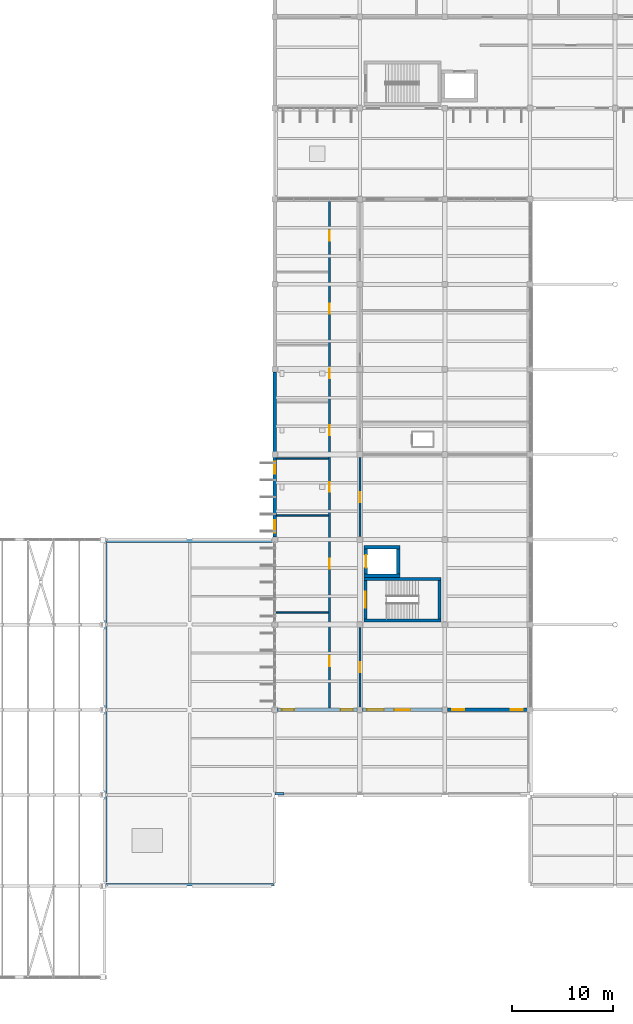
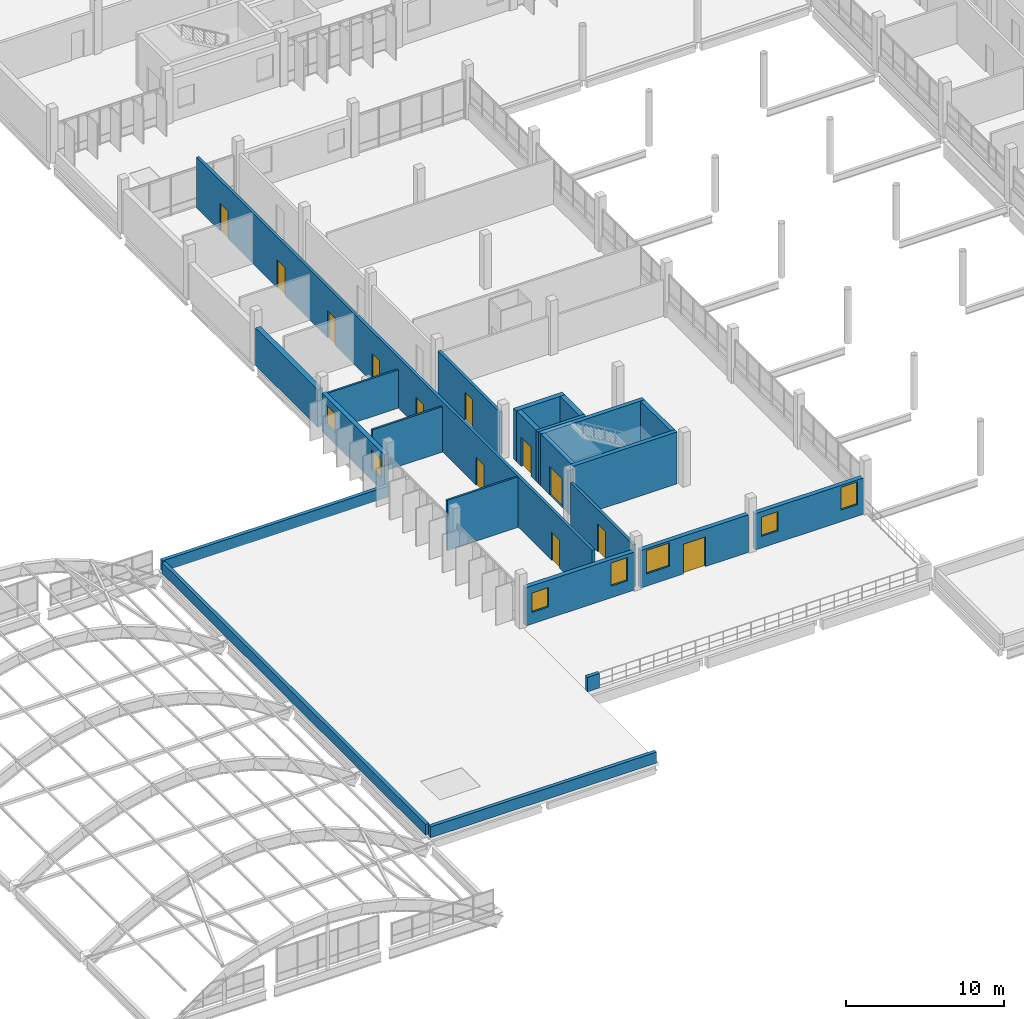
# One storey, part 111 of 130: 23 walls, 12 doors, 7 windows, 19 openings.
"""IFC4 building model written with IfcOpenShell, lengths in metres."""

from ifc_helpers import new_model, si_unit, direction, frame, frame_2d, origin, place, context, subcontext, project, spatial, rectangle, extrude, material, layer, layer_set, type_object, element, fill, save


model = new_model("IFC4")

# Units and contexts
model_context = context("Model", 3, precision=1e-05, world=origin(), true_north=direction((0.0, 1.0)))
body_context = subcontext(model_context, "Body", "Model", "MODEL_VIEW")
ifc_project = project(units=[si_unit("LENGTHUNIT", "METRE"), si_unit("AREAUNIT", "SQUARE_METRE"), si_unit("VOLUMEUNIT", "CUBIC_METRE"), si_unit("PLANEANGLEUNIT", "RADIAN"), si_unit("MASSUNIT", "GRAM", prefix="KILO")], contexts=[model_context])

# Site, building, storey
site_placement = place(None, origin())
site = spatial("IfcSite", under=ifc_project, at=site_placement, CompositionType="ELEMENT")
building_placement = place(site_placement, origin())
building = spatial("IfcBuilding", under=site, at=building_placement, Name="Vireocrest Preparatory School", CompositionType="ELEMENT")
storey_placement = place(building_placement, frame((0.0, 0.0, 9.0)))
storey = spatial("IfcBuildingStorey", under=building, at=storey_placement, Name="L02", CompositionType="ELEMENT", Elevation=9.0)

# Walls
ifc_material_1 = material(Name="Gypsum board on cold-formed steel studs", Category="steel")
ifc_layer_1 = layer(ifc_material_1, 0.139892578125)
ifc_layer_set_1 = layer_set([ifc_layer_1], Name="Gypsum board on cold-formed steel studs")
wall_type_1 = type_object("IfcWallType", Name="Classroom Acoustic Partition Wall 140", PredefinedType="PARTITIONING", material=ifc_layer_set_1)
wall_1_placement = place(storey_placement, frame((42.10498046875, 45.0, 0.0), z_axis=(0.0, 0.0, 1.0), x_axis=(1.0, 0.0, 0.0)))
element("IfcWall", 1, at=wall_1_placement, inside=storey, type_object=wall_type_1, Name="Interior Partition W03 IW_L02_0188", PredefinedType="PARTITIONING", context=body_context, shape_type="SweptSolid", body=[
    extrude(rectangle(XDim=5.18994140625, YDim=0.139892578125, at=frame_2d((2.594970703125, 0.0))), origin(), (0.0, 0.0, 1.0), 3.89990234375),
])
wall_2_placement = place(storey_placement, frame((42.1650390625, 54.60009765625, 0.0), z_axis=(0.0, 0.0, 1.0), x_axis=(1.0, 0.0, 0.0)))
element("IfcWall", 2, at=wall_2_placement, inside=storey, type_object=wall_type_1, Name="Interior Partition W03 IW_L02_0189", PredefinedType="PARTITIONING", context=body_context, shape_type="SweptSolid", body=[
    extrude(rectangle(XDim=5.1298828125, YDim=0.139892578125, at=frame_2d((2.56494140625, 0.0))), origin(), (0.0, 0.0, 1.0), 3.510009765625),
])
wall_3_placement = place(storey_placement, frame((42.1650390625, 60.199951171875, 0.0), z_axis=(0.0, 0.0, 1.0), x_axis=(1.0, 0.0, 0.0)))
element("IfcWall", 3, at=wall_3_placement, inside=storey, type_object=wall_type_1, Name="Interior Partition W03 IW_L02_0190", PredefinedType="PARTITIONING", context=body_context, shape_type="SweptSolid", body=[
    extrude(rectangle(XDim=5.1298828125, YDim=0.139892578125, at=frame_2d((2.56494140625, 0.0))), origin(), (0.0, 0.0, 1.0), 2.9599609375),
])

# Wall, openings, doors
ifc_layer_2 = layer(ifc_material_1, 0.199951171875)
ifc_layer_set_2 = layer_set([ifc_layer_2], Name="Gypsum board on cold-formed steel studs")
wall_type_2 = type_object("IfcWallType", Name="Corridor One-Hour Fire Partition 200", PredefinedType="PARTITIONING", material=ifc_layer_set_2)
wall_4_placement = place(storey_placement, frame((47.39990234375, 35.56494140625, 0.0), z_axis=(0.0, 0.0, 1.0), x_axis=(0.0, 1.0, 0.0)))
wall_4 = element("IfcWall", 4, at=wall_4_placement, inside=storey, type_object=wall_type_2, Name="Interior Partition W06 IW_L02_0194", PredefinedType="PARTITIONING", context=body_context, shape_type="SweptSolid", body=[
    extrude(rectangle(XDim=50.130126953125, YDim=0.199951171875, at=frame_2d((25.06494140625, 0.0))), origin(), (0.0, 0.0, 1.0), 3.89990234375),
])
opening_1_placement = place(wall_4_placement, frame((4.135009765625, 0.0, 0.0)))
opening_1 = element("IfcOpeningElement", 5, at=opening_1_placement, cuts=wall_4, Name="Opening D-L02-W2W01", PredefinedType="OPENING", context=body_context, shape_type="SweptSolid", body=[
    extrude(rectangle(XDim=1.0, YDim=2.14990234375, at=frame_2d((0.5, 1.074951171875))), frame((0.0, 0.10986328125, 0.0), z_axis=(0.0, -1.0, 0.0), x_axis=(1.0, 0.0, 0.0)), (0.0, 0.0, 1.0), 0.219970703125),
])
opening_2_placement = place(wall_4_placement, frame((13.735107421875, 0.0, 0.0)))
opening_2 = element("IfcOpeningElement", 6, at=opening_2_placement, cuts=wall_4, Name="Opening D-L02-W2W02", PredefinedType="OPENING", context=body_context, shape_type="SweptSolid", body=[
    extrude(rectangle(XDim=1.0, YDim=2.14990234375, at=frame_2d((0.5, 1.074951171875))), frame((0.0, 0.10986328125, 0.0), z_axis=(0.0, -1.0, 0.0), x_axis=(1.0, 0.0, 0.0)), (0.0, 0.0, 1.0), 0.219970703125),
])
opening_3_placement = place(wall_4_placement, frame((21.360107421875, 0.0, 0.0)))
opening_3 = element("IfcOpeningElement", 7, at=opening_3_placement, cuts=wall_4, Name="Opening D-L02-W2W03", PredefinedType="OPENING", context=body_context, shape_type="SweptSolid", body=[
    extrude(rectangle(XDim=0.949951171875, YDim=2.199951171875, at=frame_2d((0.47509765625, 1.10009765625))), frame((0.0, 0.10986328125, 0.0), z_axis=(0.0, -1.0, 0.0), x_axis=(1.0, 0.0, 0.0)), (0.0, 0.0, 1.0), 0.219970703125),
])
opening_4_placement = place(wall_4_placement, frame((26.9599609375, 0.0, 0.0)))
opening_4 = element("IfcOpeningElement", 8, at=opening_4_placement, cuts=wall_4, Name="Opening D-L02-W2W04", PredefinedType="OPENING", context=body_context, shape_type="SweptSolid", body=[
    extrude(rectangle(XDim=0.949951171875, YDim=2.199951171875, at=frame_2d((0.47509765625, 1.10009765625))), frame((0.0, 0.10986328125, 0.0), z_axis=(0.0, -1.0, 0.0), x_axis=(1.0, 0.0, 0.0)), (0.0, 0.0, 1.0), 0.219970703125),
])
opening_5_placement = place(wall_4_placement, frame((32.56005859375, 0.0, 0.0)))
opening_5 = element("IfcOpeningElement", 9, at=opening_5_placement, cuts=wall_4, Name="Opening D-L02-W2W05", PredefinedType="OPENING", context=body_context, shape_type="SweptSolid", body=[
    extrude(rectangle(XDim=0.949951171875, YDim=2.10009765625, at=frame_2d((0.47509765625, 1.050048828125))), frame((0.0, 0.10986328125, 0.0), z_axis=(0.0, -1.0, 0.0), x_axis=(1.0, 0.0, 0.0)), (0.0, 0.0, 1.0), 0.219970703125),
])
opening_6_placement = place(wall_4_placement, frame((38.93505859375, 0.0, 0.0)))
opening_6 = element("IfcOpeningElement", 10, at=opening_6_placement, cuts=wall_4, Name="Opening D-L02-W2W06", PredefinedType="OPENING", context=body_context, shape_type="SweptSolid", body=[
    extrude(rectangle(XDim=1.0, YDim=2.14990234375, at=frame_2d((0.5, 1.074951171875))), frame((0.0, 0.10986328125, 0.0), z_axis=(0.0, -1.0, 0.0), x_axis=(1.0, 0.0, 0.0)), (0.0, 0.0, 1.0), 0.219970703125),
])
opening_7_placement = place(wall_4_placement, frame((46.135009765625, 0.0, 0.0)))
opening_7 = element("IfcOpeningElement", 11, at=opening_7_placement, cuts=wall_4, Name="Opening D-L02-W2W07", PredefinedType="OPENING", context=body_context, shape_type="SweptSolid", body=[
    extrude(rectangle(XDim=1.0, YDim=2.14990234375, at=frame_2d((0.5, 1.074951171875))), frame((0.0, 0.10986328125, 0.0), z_axis=(0.0, -1.0, 0.0), x_axis=(1.0, 0.0, 0.0)), (0.0, 0.0, 1.0), 0.219970703125),
])
ifc_material_2 = material(Name="Solid-core architectural birch timber", Category="wood")
door_type_1 = type_object("IfcDoorType", Name="Accessible WC Timber Door 950x2100", OperationType="NOTDEFINED", PredefinedType="DOOR", material=ifc_material_2)
door_1_placement = place(opening_5_placement, origin())
door_1 = element("IfcDoor", 12, at=door_1_placement, inside=storey, type_object=door_type_1, Name="Interior Door D-L02-W2W05", OperationType="SINGLE_SWING_RIGHT", OverallHeight=2.10009765625, OverallWidth=0.949951171875, PredefinedType="DOOR", context=body_context, shape_type="SweptSolid", body=[
    extrude(rectangle(XDim=0.949951171875, YDim=2.10009765625, at=frame_2d((0.47509765625, 1.050048828125))), frame((0.0, 0.02490234375, 0.0), z_axis=(0.0, -1.0, 0.0), x_axis=(1.0, 0.0, 0.0)), (0.0, 0.0, 1.0), 0.050048828125),
])
fill(opening_5, door_1)
door_type_2 = type_object("IfcDoorType", Name="Classroom Acoustic Timber Door 1000x2150", OperationType="NOTDEFINED", PredefinedType="DOOR", material=ifc_material_2)
door_2_placement = place(opening_1_placement, origin())
door_2 = element("IfcDoor", 13, at=door_2_placement, inside=storey, type_object=door_type_2, Name="Interior Door D-L02-W2W01", OperationType="SINGLE_SWING_RIGHT", OverallHeight=2.14990234375, OverallWidth=1.0, PredefinedType="DOOR", context=body_context, shape_type="SweptSolid", body=[
    extrude(rectangle(XDim=1.0, YDim=2.14990234375, at=frame_2d((0.5, 1.074951171875))), frame((0.0, 0.02490234375, 0.0), z_axis=(0.0, -1.0, 0.0), x_axis=(1.0, 0.0, 0.0)), (0.0, 0.0, 1.0), 0.050048828125),
])
fill(opening_1, door_2)
door_3_placement = place(opening_2_placement, origin())
door_3 = element("IfcDoor", 14, at=door_3_placement, inside=storey, type_object=door_type_2, Name="Interior Door D-L02-W2W02", OperationType="SINGLE_SWING_LEFT", OverallHeight=2.14990234375, OverallWidth=1.0, PredefinedType="DOOR", context=body_context, shape_type="SweptSolid", body=[
    extrude(rectangle(XDim=1.0, YDim=2.14990234375, at=frame_2d((0.5, 1.074951171875))), frame((0.0, 0.02490234375, 0.0), z_axis=(0.0, -1.0, 0.0), x_axis=(1.0, 0.0, 0.0)), (0.0, 0.0, 1.0), 0.050048828125),
])
fill(opening_2, door_3)
door_4_placement = place(opening_6_placement, origin())
door_4 = element("IfcDoor", 15, at=door_4_placement, inside=storey, type_object=door_type_2, Name="Interior Door D-L02-W2W06", OperationType="SINGLE_SWING_LEFT", OverallHeight=2.14990234375, OverallWidth=1.0, PredefinedType="DOOR", context=body_context, shape_type="SweptSolid", body=[
    extrude(rectangle(XDim=1.0, YDim=2.14990234375, at=frame_2d((0.5, 1.074951171875))), frame((0.0, 0.02490234375, 0.0), z_axis=(0.0, -1.0, 0.0), x_axis=(1.0, 0.0, 0.0)), (0.0, 0.0, 1.0), 0.050048828125),
])
fill(opening_6, door_4)
door_5_placement = place(opening_7_placement, origin())
door_5 = element("IfcDoor", 16, at=door_5_placement, inside=storey, type_object=door_type_2, Name="Interior Door D-L02-W2W07", OperationType="SINGLE_SWING_RIGHT", OverallHeight=2.14990234375, OverallWidth=1.0, PredefinedType="DOOR", context=body_context, shape_type="SweptSolid", body=[
    extrude(rectangle(XDim=1.0, YDim=2.14990234375, at=frame_2d((0.5, 1.074951171875))), frame((0.0, 0.02490234375, 0.0), z_axis=(0.0, -1.0, 0.0), x_axis=(1.0, 0.0, 0.0)), (0.0, 0.0, 1.0), 0.050048828125),
])
fill(opening_7, door_5)
door_type_3 = type_object("IfcDoorType", Name="Student Washroom Door 950x2200", OperationType="NOTDEFINED", PredefinedType="DOOR", material=ifc_material_2)
door_6_placement = place(opening_3_placement, origin())
door_6 = element("IfcDoor", 17, at=door_6_placement, inside=storey, type_object=door_type_3, Name="Interior Door D-L02-W2W03", OperationType="SINGLE_SWING_RIGHT", OverallHeight=2.199951171875, OverallWidth=0.949951171875, PredefinedType="DOOR", context=body_context, shape_type="SweptSolid", body=[
    extrude(rectangle(XDim=0.949951171875, YDim=2.199951171875, at=frame_2d((0.47509765625, 1.10009765625))), frame((0.0, 0.02490234375, 0.0), z_axis=(0.0, -1.0, 0.0), x_axis=(1.0, 0.0, 0.0)), (0.0, 0.0, 1.0), 0.050048828125),
])
fill(opening_3, door_6)
door_7_placement = place(opening_4_placement, origin())
door_7 = element("IfcDoor", 18, at=door_7_placement, inside=storey, type_object=door_type_3, Name="Interior Door D-L02-W2W04", OperationType="SINGLE_SWING_LEFT", OverallHeight=2.199951171875, OverallWidth=0.949951171875, PredefinedType="DOOR", context=body_context, shape_type="SweptSolid", body=[
    extrude(rectangle(XDim=0.949951171875, YDim=2.199951171875, at=frame_2d((0.47509765625, 1.10009765625))), frame((0.0, 0.02490234375, 0.0), z_axis=(0.0, -1.0, 0.0), x_axis=(1.0, 0.0, 0.0)), (0.0, 0.0, 1.0), 0.050048828125),
])
fill(opening_4, door_7)

# Wall, opening, door
wall_5_placement = place(storey_placement, frame((50.39990234375, 35.56494140625, 0.0), z_axis=(0.0, 0.0, 1.0), x_axis=(0.0, 1.0, 0.0)))
wall_5 = element("IfcWall", 19, at=wall_5_placement, inside=storey, type_object=wall_type_2, Name="Interior Partition W06 IW_L02_0195", PredefinedType="PARTITIONING", context=body_context, shape_type="SweptSolid", body=[
    extrude(rectangle(XDim=7.949951171875, YDim=0.199951171875, at=frame_2d((3.97509765625, 0.0))), origin(), (0.0, 0.0, 1.0), 3.260009765625),
])
opening_8_placement = place(wall_5_placement, frame((3.534912109375, 0.0, 0.0)))
opening_8 = element("IfcOpeningElement", 20, at=opening_8_placement, cuts=wall_5, Name="Opening D-L02-W2E01", PredefinedType="OPENING", context=body_context, shape_type="SweptSolid", body=[
    extrude(rectangle(XDim=1.0, YDim=2.14990234375, at=frame_2d((0.5, 1.074951171875))), frame((0.0, 0.10986328125, 0.0), z_axis=(0.0, -1.0, 0.0), x_axis=(1.0, 0.0, 0.0)), (0.0, 0.0, 1.0), 0.219970703125),
])
door_8_placement = place(opening_8_placement, origin())
door_8 = element("IfcDoor", 21, at=door_8_placement, inside=storey, type_object=door_type_2, Name="Interior Door D-L02-W2E01", OperationType="SINGLE_SWING_LEFT", OverallHeight=2.14990234375, OverallWidth=1.0, PredefinedType="DOOR", context=body_context, shape_type="SweptSolid", body=[
    extrude(rectangle(XDim=1.0, YDim=2.14990234375, at=frame_2d((0.5, 1.074951171875))), frame((0.0, 0.02490234375, 0.0), z_axis=(0.0, -1.0, 0.0), x_axis=(1.0, 0.0, 0.0)), (0.0, 0.0, 1.0), 0.050048828125),
])
fill(opening_8, door_8)

wall_6_placement = place(storey_placement, frame((50.39990234375, 52.485107421875, 0.0), z_axis=(0.0, 0.0, 1.0), x_axis=(0.0, 1.0, 0.0)))
wall_6 = element("IfcWall", 22, at=wall_6_placement, inside=storey, type_object=wall_type_2, Name="Interior Partition W06 IW_L02_0200", PredefinedType="PARTITIONING", context=body_context, shape_type="SweptSolid", body=[
    extrude(rectangle(XDim=7.829833984375, YDim=0.199951171875, at=frame_2d((3.9150390625, 0.0))), origin(), (0.0, 0.0, 1.0), 3.260009765625),
])
opening_9_placement = place(wall_6_placement, frame((3.4150390625, 0.0, 0.0)))
opening_9 = element("IfcOpeningElement", 23, at=opening_9_placement, cuts=wall_6, Name="Opening D-L02-W2EN01", PredefinedType="OPENING", context=body_context, shape_type="SweptSolid", body=[
    extrude(rectangle(XDim=1.0, YDim=2.14990234375, at=frame_2d((0.5, 1.074951171875))), frame((0.0, 0.10986328125, 0.0), z_axis=(0.0, -1.0, 0.0), x_axis=(1.0, 0.0, 0.0)), (0.0, 0.0, 1.0), 0.219970703125),
])
door_9_placement = place(opening_9_placement, origin())
door_9 = element("IfcDoor", 24, at=door_9_placement, inside=storey, type_object=door_type_2, Name="Interior Door D-L02-W2EN01", OperationType="SINGLE_SWING_RIGHT", OverallHeight=2.14990234375, OverallWidth=1.0, PredefinedType="DOOR", context=body_context, shape_type="SweptSolid", body=[
    extrude(rectangle(XDim=1.0, YDim=2.14990234375, at=frame_2d((0.5, 1.074951171875))), frame((0.0, 0.02490234375, 0.0), z_axis=(0.0, -1.0, 0.0), x_axis=(1.0, 0.0, 0.0)), (0.0, 0.0, 1.0), 0.050048828125),
])
fill(opening_9, door_9)

# Wall, openings, windows
ifc_material_3 = material(Name="Precast white concrete 40 MPa", Category="concrete")
ifc_layer_3 = layer(ifc_material_3, 0.320068359375)
ifc_layer_set_3 = layer_set([ifc_layer_3], Name="Precast white concrete 40 MPa")
wall_type_3 = type_object("IfcWallType", Name="High-Tech Insulated Rainscreen External Wall 320", PredefinedType="SOLIDWALL", material=ifc_layer_set_3)
wall_7_placement = place(storey_placement, frame((42.0, 52.449951171875, 0.0), z_axis=(0.0, 0.0, 1.0), x_axis=(0.0, 1.0, 0.0)))
wall_7 = element("IfcWall", 25, at=wall_7_placement, inside=storey, type_object=wall_type_3, Name="External Wall W12 EW_L02_0285", PredefinedType="SOLIDWALL", context=body_context, shape_type="SweptSolid", body=[
    extrude(rectangle(XDim=7.900146484375, YDim=0.320068359375, at=frame_2d((3.9501953125, 0.0))), origin(), (0.0, 0.0, 1.0), 2.9599609375),
])
opening_10_placement = place(wall_7_placement, frame((0.449951171875, 0.0, 0.85009765625)))
opening_10 = element("IfcOpeningElement", 26, at=opening_10_placement, cuts=wall_7, Name="Opening WN01", PredefinedType="OPENING", context=body_context, shape_type="SweptSolid", body=[
    extrude(rectangle(XDim=1.199951171875, YDim=1.5, at=frame_2d((0.60009765625, 0.75))), frame((0.0, 0.169921875, 0.0), z_axis=(0.0, -1.0, 0.0), x_axis=(1.0, 0.0, 0.0)), (0.0, 0.0, 1.0), 0.340087890625),
])
opening_11_placement = place(wall_7_placement, frame((6.25, 0.0, 0.85009765625)))
opening_11 = element("IfcOpeningElement", 27, at=opening_11_placement, cuts=wall_7, Name="Opening WN01", PredefinedType="OPENING", context=body_context, shape_type="SweptSolid", body=[
    extrude(rectangle(XDim=1.199951171875, YDim=1.5, at=frame_2d((0.60009765625, 0.75))), frame((0.0, 0.169921875, 0.0), z_axis=(0.0, -1.0, 0.0), x_axis=(1.0, 0.0, 0.0)), (0.0, 0.0, 1.0), 0.340087890625),
])
ifc_material_4 = material(Name="Thermally broken aluminium EN AW-6063-T6", Category="aluminium")
window_type_1 = type_object("IfcWindowType", Name="Office Punched Window 1200x1500", PartitioningType="SINGLE_PANEL", PredefinedType="WINDOW", material=ifc_material_4)
window_1_placement = place(opening_10_placement, origin())
window_1 = element("IfcWindow", 28, at=window_1_placement, inside=storey, type_object=window_type_1, Name="Window W-L02-139 (WN01)", OverallHeight=1.5, OverallWidth=1.199951171875, PartitioningType="SINGLE_PANEL", PredefinedType="WINDOW", context=body_context, shape_type="SweptSolid", body=[
    extrude(rectangle(XDim=1.199951171875, YDim=1.5, at=frame_2d((0.60009765625, 0.75))), frame((0.0, 0.030029296875, 0.0), z_axis=(0.0, -1.0, 0.0), x_axis=(1.0, 0.0, 0.0)), (0.0, 0.0, 1.0), 0.06005859375),
])
fill(opening_10, window_1)
window_2_placement = place(opening_11_placement, origin())
window_2 = element("IfcWindow", 29, at=window_2_placement, inside=storey, type_object=window_type_1, Name="Window W-L02-140 (WN01)", OverallHeight=1.5, OverallWidth=1.199951171875, PartitioningType="SINGLE_PANEL", PredefinedType="WINDOW", context=body_context, shape_type="SweptSolid", body=[
    extrude(rectangle(XDim=1.199951171875, YDim=1.5, at=frame_2d((0.60009765625, 0.75))), frame((0.0, 0.030029296875, 0.0), z_axis=(0.0, -1.0, 0.0), x_axis=(1.0, 0.0, 0.0)), (0.0, 0.0, 1.0), 0.06005859375),
])
fill(opening_11, window_2)

wall_8_placement = place(storey_placement, frame((42.25, 35.39990234375, 0.0), z_axis=(0.0, 0.0, 1.0), x_axis=(1.0, 0.0, 0.0)))
wall_8 = element("IfcWall", 30, at=wall_8_placement, inside=storey, type_object=wall_type_3, Name="External Wall W12 EW_L02_0289", PredefinedType="SOLIDWALL", context=body_context, shape_type="SweptSolid", body=[
    extrude(rectangle(XDim=7.89990234375, YDim=0.320068359375, at=frame_2d((3.949951171875, 0.0))), origin(), (0.0, 0.0, 1.0), 2.9599609375),
])
opening_12_placement = place(wall_8_placement, frame((0.449951171875, 0.0, 0.89990234375)))
opening_12 = element("IfcOpeningElement", 31, at=opening_12_placement, cuts=wall_8, Name="Opening WN01", PredefinedType="OPENING", context=body_context, shape_type="SweptSolid", body=[
    extrude(rectangle(XDim=1.199951171875, YDim=1.5, at=frame_2d((0.60009765625, 0.75))), frame((0.0, 0.169921875, 0.0), z_axis=(0.0, -1.0, 0.0), x_axis=(1.0, 0.0, 0.0)), (0.0, 0.0, 1.0), 0.340087890625),
])
opening_13_placement = place(wall_8_placement, frame((6.25, 0.0, 0.89990234375)))
opening_13 = element("IfcOpeningElement", 32, at=opening_13_placement, cuts=wall_8, Name="Opening WN02", PredefinedType="OPENING", context=body_context, shape_type="SweptSolid", body=[
    extrude(rectangle(XDim=1.199951171875, YDim=1.800048828125, at=frame_2d((0.60009765625, 0.89990234375))), frame((0.0, 0.169921875, 0.0), z_axis=(0.0, -1.0, 0.0), x_axis=(1.0, 0.0, 0.0)), (0.0, 0.0, 1.0), 0.340087890625),
])
window_type_2 = type_object("IfcWindowType", Name="Counseling Window 1200x1800", PartitioningType="SINGLE_PANEL", PredefinedType="WINDOW", material=ifc_material_4)
window_3_placement = place(opening_13_placement, origin())
window_3 = element("IfcWindow", 33, at=window_3_placement, inside=storey, type_object=window_type_2, Name="Window W-L02-142 (WN02)", OverallHeight=1.800048828125, OverallWidth=1.199951171875, PartitioningType="SINGLE_PANEL", PredefinedType="WINDOW", context=body_context, shape_type="SweptSolid", body=[
    extrude(rectangle(XDim=1.199951171875, YDim=1.800048828125, at=frame_2d((0.60009765625, 0.89990234375))), frame((0.0, 0.030029296875, 0.0), z_axis=(0.0, -1.0, 0.0), x_axis=(1.0, 0.0, 0.0)), (0.0, 0.0, 1.0), 0.06005859375),
])
fill(opening_13, window_3)
window_4_placement = place(opening_12_placement, origin())
window_4 = element("IfcWindow", 34, at=window_4_placement, inside=storey, type_object=window_type_1, Name="Window W-L02-141 (WN01)", OverallHeight=1.5, OverallWidth=1.199951171875, PartitioningType="SINGLE_PANEL", PredefinedType="WINDOW", context=body_context, shape_type="SweptSolid", body=[
    extrude(rectangle(XDim=1.199951171875, YDim=1.5, at=frame_2d((0.60009765625, 0.75))), frame((0.0, 0.030029296875, 0.0), z_axis=(0.0, -1.0, 0.0), x_axis=(1.0, 0.0, 0.0)), (0.0, 0.0, 1.0), 0.06005859375),
])
fill(opening_12, window_4)

# Wall, openings, window, door
wall_9_placement = place(storey_placement, frame((50.64990234375, 35.39990234375, 0.0), z_axis=(0.0, 0.0, 1.0), x_axis=(1.0, 0.0, 0.0)))
wall_9 = element("IfcWall", 35, at=wall_9_placement, inside=storey, type_object=wall_type_3, Name="External Wall W12 EW_L02_0290", PredefinedType="SOLIDWALL", context=body_context, shape_type="SweptSolid", body=[
    extrude(rectangle(XDim=7.900146484375, YDim=0.320068359375, at=frame_2d((3.9501953125, 0.0))), origin(), (0.0, 0.0, 1.0), 2.909912109375),
])
opening_14_placement = place(wall_9_placement, frame((4.75, 0.0, 0.0), z_axis=(0.0, 0.0, 1.0), x_axis=(-1.0, 0.0, 0.0)))
opening_14 = element("IfcOpeningElement", 36, at=opening_14_placement, cuts=wall_9, Name="Opening TD-201", PredefinedType="OPENING", context=body_context, shape_type="SweptSolid", body=[
    extrude(rectangle(XDim=1.60009765625, YDim=2.300048828125, at=frame_2d((0.800048828125, 1.14990234375))), frame((0.0, 0.169921875, 0.0), z_axis=(0.0, -1.0, 0.0), x_axis=(1.0, 0.0, 0.0)), (0.0, 0.0, 1.0), 0.340087890625),
])
opening_15_placement = place(wall_9_placement, frame((0.449951171875, 0.0, 0.949951171875)))
opening_15 = element("IfcOpeningElement", 37, at=opening_15_placement, cuts=wall_9, Name="Opening WN05", PredefinedType="OPENING", context=body_context, shape_type="SweptSolid", body=[
    extrude(rectangle(XDim=1.679931640625, YDim=1.800048828125, at=frame_2d((0.83984375, 0.89990234375))), frame((0.0, 0.169921875, 0.0), z_axis=(0.0, -1.0, 0.0), x_axis=(1.0, 0.0, 0.0)), (0.0, 0.0, 1.0), 0.340087890625),
])
window_type_3 = type_object("IfcWindowType", Name="Module Classroom Window 1680x1800", PartitioningType="SINGLE_PANEL", PredefinedType="WINDOW", material=ifc_material_4)
window_5_placement = place(opening_15_placement, origin())
window_5 = element("IfcWindow", 38, at=window_5_placement, inside=storey, type_object=window_type_3, Name="Window W-L02-143 (WN05)", OverallHeight=1.800048828125, OverallWidth=1.679931640625, PartitioningType="SINGLE_PANEL", PredefinedType="WINDOW", context=body_context, shape_type="SweptSolid", body=[
    extrude(rectangle(XDim=1.679931640625, YDim=1.800048828125, at=frame_2d((0.83984375, 0.89990234375))), frame((0.0, 0.030029296875, 0.0), z_axis=(0.0, -1.0, 0.0), x_axis=(1.0, 0.0, 0.0)), (0.0, 0.0, 1.0), 0.06005859375),
])
fill(opening_15, window_5)
ifc_material_5 = material(Name="Thermally broken glazed aluminium", Category="aluminium")
door_type_4 = type_object("IfcDoorType", Name="Terrace Glazed Double Door 1600x2300", OperationType="DOUBLE_DOOR_SINGLE_SWING", PredefinedType="DOOR", material=ifc_material_5)
door_10_placement = place(opening_14_placement, origin())
door_10 = element("IfcDoor", 39, at=door_10_placement, inside=storey, type_object=door_type_4, Name="Second-Floor West Terrace Door TD-201", OperationType="DOUBLE_DOOR_SINGLE_SWING", OverallHeight=2.300048828125, OverallWidth=1.60009765625, PredefinedType="DOOR", context=body_context, shape_type="SweptSolid", body=[
    extrude(rectangle(XDim=1.60009765625, YDim=2.300048828125, at=frame_2d((0.800048828125, 1.14990234375))), frame((0.0, 0.02490234375, 0.0), z_axis=(0.0, -1.0, 0.0), x_axis=(1.0, 0.0, 0.0)), (0.0, 0.0, 1.0), 0.050048828125),
])
fill(opening_14, door_10)

# Wall, openings, windows
wall_10_placement = place(storey_placement, frame((59.050048828125, 35.39990234375, 0.0), z_axis=(0.0, 0.0, 1.0), x_axis=(1.0, 0.0, 0.0)))
wall_10 = element("IfcWall", 40, at=wall_10_placement, inside=storey, type_object=wall_type_3, Name="External Wall W12 EW_L02_0291", PredefinedType="SOLIDWALL", context=body_context, shape_type="SweptSolid", body=[
    extrude(rectangle(XDim=7.89990234375, YDim=0.320068359375, at=frame_2d((3.949951171875, 0.0))), origin(), (0.0, 0.0, 1.0), 2.81005859375),
])
opening_16_placement = place(wall_10_placement, frame((0.449951171875, 0.0, 0.89990234375)))
opening_16 = element("IfcOpeningElement", 41, at=opening_16_placement, cuts=wall_10, Name="Opening WN01", PredefinedType="OPENING", context=body_context, shape_type="SweptSolid", body=[
    extrude(rectangle(XDim=1.199951171875, YDim=1.5, at=frame_2d((0.60009765625, 0.75))), frame((0.0, 0.169921875, 0.0), z_axis=(0.0, -1.0, 0.0), x_axis=(1.0, 0.0, 0.0)), (0.0, 0.0, 1.0), 0.340087890625),
])
opening_17_placement = place(wall_10_placement, frame((6.25, 0.0, 0.89990234375)))
opening_17 = element("IfcOpeningElement", 42, at=opening_17_placement, cuts=wall_10, Name="Opening WN02", PredefinedType="OPENING", context=body_context, shape_type="SweptSolid", body=[
    extrude(rectangle(XDim=1.199951171875, YDim=1.760009765625, at=frame_2d((0.60009765625, 0.8798828125))), frame((0.0, 0.169921875, 0.0), z_axis=(0.0, -1.0, 0.0), x_axis=(1.0, 0.0, 0.0)), (0.0, 0.0, 1.0), 0.340087890625),
])
window_6_placement = place(opening_17_placement, origin())
window_6 = element("IfcWindow", 43, at=window_6_placement, inside=storey, type_object=window_type_2, Name="Window W-L02-145 (WN02)", OverallHeight=1.760009765625, OverallWidth=1.199951171875, PartitioningType="SINGLE_PANEL", PredefinedType="WINDOW", context=body_context, shape_type="SweptSolid", body=[
    extrude(rectangle(XDim=1.199951171875, YDim=1.760009765625, at=frame_2d((0.60009765625, 0.8798828125))), frame((0.0, 0.030029296875, 0.0), z_axis=(0.0, -1.0, 0.0), x_axis=(1.0, 0.0, 0.0)), (0.0, 0.0, 1.0), 0.06005859375),
])
fill(opening_17, window_6)
window_7_placement = place(opening_16_placement, origin())
window_7 = element("IfcWindow", 44, at=window_7_placement, inside=storey, type_object=window_type_1, Name="Window W-L02-144 (WN01)", OverallHeight=1.5, OverallWidth=1.199951171875, PartitioningType="SINGLE_PANEL", PredefinedType="WINDOW", context=body_context, shape_type="SweptSolid", body=[
    extrude(rectangle(XDim=1.199951171875, YDim=1.5, at=frame_2d((0.60009765625, 0.75))), frame((0.0, 0.030029296875, 0.0), z_axis=(0.0, -1.0, 0.0), x_axis=(1.0, 0.0, 0.0)), (0.0, 0.0, 1.0), 0.06005859375),
])
fill(opening_16, window_7)

# Walls
ifc_layer_4 = layer(ifc_material_3, 0.260009765625)
ifc_layer_set_4 = layer_set([ifc_layer_4], Name="Precast white concrete 40 MPa")
wall_type_4 = type_object("IfcWallType", Name="Insulated Roof Parapet Wall 260", PredefinedType="PARAPET", material=ifc_layer_set_4)
for number, where, z_axis, x_axis, name in (
    (45, (25.330078125, 18.1298828125, 0.0), (0.0, 0.0, 1.0), (1.0, 0.0, 0.0), "Roof Parapet W09 L02_WEST_LINK_ROOF-5"),
    (46, (25.330078125, 52.070068359375, 0.0), (0.0, 0.0, 1.0), (1.0, 0.0, 0.0), "Roof Parapet W09 L02_WEST_LINK_ROOF-6"),
):
    element("IfcWall", number, at=place(storey_placement, frame(where, z_axis=z_axis, x_axis=x_axis)), inside=storey, type_object=wall_type_4, Name=name, PredefinedType="PARAPET", context=body_context, shape_type="SweptSolid", body=[
        extrude(rectangle(XDim=16.5400390625, YDim=0.260009765625, at=frame_2d((8.27001953125, 0.0))), origin(), (0.0, 0.0, 1.0), 0.85009765625),
    ])
wall_11_placement = place(storey_placement, frame((25.330078125, 18.389892578125, 0.0), z_axis=(0.0, 0.0, 1.0), x_axis=(0.0, 1.0, 0.0)))
element("IfcWall", 47, at=wall_11_placement, inside=storey, type_object=wall_type_4, Name="Roof Parapet W09 L02_WEST_LINK_ROOF-7", PredefinedType="PARAPET", context=body_context, shape_type="SweptSolid", body=[
    extrude(rectangle(XDim=33.420166015625, YDim=0.260009765625, at=frame_2d((16.7099609375, 0.0))), origin(), (0.0, 0.0, 1.0), 0.85009765625),
])
wall_12_placement = place(storey_placement, frame((42.0, 27.1298828125, 0.0), z_axis=(0.0, 0.0, 1.0), x_axis=(1.0, 0.0, 0.0)))
element("IfcWall", 48, at=wall_12_placement, inside=storey, type_object=wall_type_4, Name="Terrace Parapet Return W09 L02-46", PredefinedType="PARAPET", context=body_context, shape_type="SweptSolid", body=[
    extrude(rectangle(XDim=0.89990234375, YDim=0.260009765625, at=frame_2d((0.449951171875, 0.0))), origin(), (0.0, 0.0, 1.0), 1.1201171875),
])
ifc_material_6 = material(Name="Concrete 45 MPa", Category="concrete")
ifc_layer_5 = layer(ifc_material_6, 0.35009765625)
ifc_layer_set_5 = layer_set([ifc_layer_5], Name="Concrete 45 MPa")
wall_type_5 = type_object("IfcWallType", Name="Two-Hour RC Lift Core Shear Wall 350", PredefinedType="SHEAR", material=ifc_layer_set_5)
for number, where, z_axis, x_axis, name in (
    (49, (50.824951171875, 48.64990234375, 0.0), (0.0, 0.0, 1.0), (1.0, 0.0, 0.0), "Lift Core Shear Wall LF1 L02-S"),
    (50, (50.824951171875, 51.449951171875, 0.0), (0.0, 0.0, 1.0), (1.0, 0.0, 0.0), "Lift Core Shear Wall LF1 L02-N"),
):
    element("IfcWall", number, at=place(storey_placement, frame(where, z_axis=z_axis, x_axis=x_axis)), inside=storey, type_object=wall_type_5, Name=name, PredefinedType="SHEAR", context=body_context, shape_type="SweptSolid", body=[
        extrude(rectangle(XDim=3.550048828125, YDim=0.35009765625, at=frame_2d((1.77490234375, 0.0))), origin(), (0.0, 0.0, 1.0), 3.919921875),
    ])

# Wall, opening, door
wall_13_placement = place(storey_placement, frame((51.0, 48.824951171875, 0.0), z_axis=(0.0, 0.0, 1.0), x_axis=(0.0, 1.0, 0.0)))
wall_13 = element("IfcWall", 51, at=wall_13_placement, inside=storey, type_object=wall_type_5, Name="Lift Core Shear Wall LF1 L02-W", PredefinedType="SHEAR", context=body_context, shape_type="SweptSolid", body=[
    extrude(rectangle(XDim=2.449951171875, YDim=0.35009765625, at=frame_2d((1.22509765625, 0.0))), origin(), (0.0, 0.0, 1.0), 3.919921875),
])
opening_18_placement = place(wall_13_placement, frame((0.60009765625, 0.0, 0.0)))
opening_18 = element("IfcOpeningElement", 52, at=opening_18_placement, cuts=wall_13, Name="Opening LD-LF1-L02", PredefinedType="OPENING", context=body_context, shape_type="SweptSolid", body=[
    extrude(rectangle(XDim=1.25, YDim=2.25, at=frame_2d((0.625, 1.125))), frame((0.0, 0.18505859375, 0.0), z_axis=(0.0, -1.0, 0.0), x_axis=(1.0, 0.0, 0.0)), (0.0, 0.0, 1.0), 0.3701171875),
])
ifc_material_7 = material(Name="Painted galvanized hollow steel", Category="steel")
door_type_5 = type_object("IfcDoorType", Name="Stretcher Lift Landing Sliding Door 1250x2250", OperationType="DOUBLE_DOOR_SLIDING", PredefinedType="DOOR", material=ifc_material_7)
door_11_placement = place(opening_18_placement, origin())
door_11 = element("IfcDoor", 53, at=door_11_placement, inside=storey, type_object=door_type_5, Name="Lift Landing Door LD-LF1-L02", OperationType="DOUBLE_DOOR_SLIDING", OverallHeight=2.25, OverallWidth=1.25, PredefinedType="DOOR", context=body_context, shape_type="SweptSolid", body=[
    extrude(rectangle(XDim=1.25, YDim=2.25, at=frame_2d((0.625, 1.125))), frame((0.0, 0.02490234375, 0.0), z_axis=(0.0, -1.0, 0.0), x_axis=(1.0, 0.0, 0.0)), (0.0, 0.0, 1.0), 0.050048828125),
])
fill(opening_18, door_11)

# Walls
wall_14_placement = place(storey_placement, frame((54.199951171875, 48.824951171875, 0.0), z_axis=(0.0, 0.0, 1.0), x_axis=(0.0, 1.0, 0.0)))
element("IfcWall", 54, at=wall_14_placement, inside=storey, type_object=wall_type_5, Name="Lift Core Shear Wall LF1 L02-E", PredefinedType="SHEAR", context=body_context, shape_type="SweptSolid", body=[
    extrude(rectangle(XDim=2.449951171875, YDim=0.35009765625, at=frame_2d((1.22509765625, 0.0))), origin(), (0.0, 0.0, 1.0), 3.919921875),
])
ifc_layer_6 = layer(ifc_material_6, 0.3798828125)
ifc_layer_set_6 = layer_set([ifc_layer_6], Name="Concrete 45 MPa")
wall_type_6 = type_object("IfcWallType", Name="Two-Hour RC Lot-Line Shear Wall 380", PredefinedType="SHEAR", material=ifc_layer_set_6)
wall_15_placement = place(storey_placement, frame((42.0, 60.85009765625, 0.0), z_axis=(0.0, 0.0, 1.0), x_axis=(0.0, 1.0, 0.0)))
element("IfcWall", 55, at=wall_15_placement, inside=storey, type_object=wall_type_6, Name="External Wall PW1 PARTY_L02_0286", PredefinedType="SHEAR", context=body_context, shape_type="SweptSolid", body=[
    extrude(rectangle(XDim=7.89990234375, YDim=0.3798828125, at=frame_2d((3.949951171875, 0.0))), origin(), (0.0, 0.0, 1.0), 2.909912109375),
])
ifc_layer_7 = layer(ifc_material_6, 0.300048828125)
ifc_layer_set_7 = layer_set([ifc_layer_7], Name="Concrete 45 MPa")
wall_type_7 = type_object("IfcWallType", Name="Two-Hour RC Stair Shaft Shear Wall 300", PredefinedType="SHEAR", material=ifc_layer_set_7)
for number, where, z_axis, x_axis, name in (
    (56, (50.800048828125, 44.199951171875, 0.0), (0.0, 0.0, 1.0), (1.0, 0.0, 0.0), "Stair Core Shear Wall ST1 L02-S"),
    (57, (50.800048828125, 48.300048828125, 0.0), (0.0, 0.0, 1.0), (1.0, 0.0, 0.0), "Stair Core Shear Wall ST1 L02-N"),
):
    element("IfcWall", number, at=place(storey_placement, frame(where, z_axis=z_axis, x_axis=x_axis)), inside=storey, type_object=wall_type_7, Name=name, PredefinedType="SHEAR", context=body_context, shape_type="SweptSolid", body=[
        extrude(rectangle(XDim=7.599853515625, YDim=0.300048828125, at=frame_2d((3.7998046875, 0.0))), origin(), (0.0, 0.0, 1.0), 4.02490234375),
    ])

# Wall, opening, door
wall_16_placement = place(storey_placement, frame((50.949951171875, 44.35009765625, 0.0), z_axis=(0.0, 0.0, 1.0), x_axis=(0.0, 1.0, 0.0)))
wall_16 = element("IfcWall", 58, at=wall_16_placement, inside=storey, type_object=wall_type_7, Name="Stair Core Shear Wall ST1 L02-W", PredefinedType="SHEAR", context=body_context, shape_type="SweptSolid", body=[
    extrude(rectangle(XDim=3.7998046875, YDim=0.300048828125, at=frame_2d((1.89990234375, 0.0))), origin(), (0.0, 0.0, 1.0), 4.02490234375),
])
opening_19_placement = place(wall_16_placement, frame((1.10009765625, 0.0, 0.0)))
opening_19 = element("IfcOpeningElement", 59, at=opening_19_placement, cuts=wall_16, Name="Opening SD-ST1-L02", PredefinedType="OPENING", context=body_context, shape_type="SweptSolid", body=[
    extrude(rectangle(XDim=1.60009765625, YDim=2.199951171875, at=frame_2d((0.800048828125, 1.10009765625))), frame((0.0, 0.159912109375, 0.0), z_axis=(0.0, -1.0, 0.0), x_axis=(1.0, 0.0, 0.0)), (0.0, 0.0, 1.0), 0.320068359375),
])
door_type_6 = type_object("IfcDoorType", Name="Stair Core Lobby Fire Door 1600x2200", OperationType="DOUBLE_DOOR_SINGLE_SWING", PredefinedType="DOOR", material=ifc_material_7)
door_12_placement = place(opening_19_placement, origin())
door_12 = element("IfcDoor", 60, at=door_12_placement, inside=storey, type_object=door_type_6, Name="Stair Enclosure Fire Door SD-ST1-L02", OperationType="DOUBLE_DOOR_SINGLE_SWING", OverallHeight=2.199951171875, OverallWidth=1.60009765625, PredefinedType="DOOR", context=body_context, shape_type="SweptSolid", body=[
    extrude(rectangle(XDim=1.60009765625, YDim=2.199951171875, at=frame_2d((0.800048828125, 1.10009765625))), frame((0.0, 0.02490234375, 0.0), z_axis=(0.0, -1.0, 0.0), x_axis=(1.0, 0.0, 0.0)), (0.0, 0.0, 1.0), 0.050048828125),
])
fill(opening_19, door_12)

# Wall
wall_17_placement = place(storey_placement, frame((58.25, 44.35009765625, 0.0), z_axis=(0.0, 0.0, 1.0), x_axis=(0.0, 1.0, 0.0)))
element("IfcWall", 61, at=wall_17_placement, inside=storey, type_object=wall_type_7, Name="Stair Core Shear Wall ST1 L02-E", PredefinedType="SHEAR", context=body_context, shape_type="SweptSolid", body=[
    extrude(rectangle(XDim=3.7998046875, YDim=0.300048828125, at=frame_2d((1.89990234375, 0.0))), origin(), (0.0, 0.0, 1.0), 4.02490234375),
])

save(model, "model.ifc")
